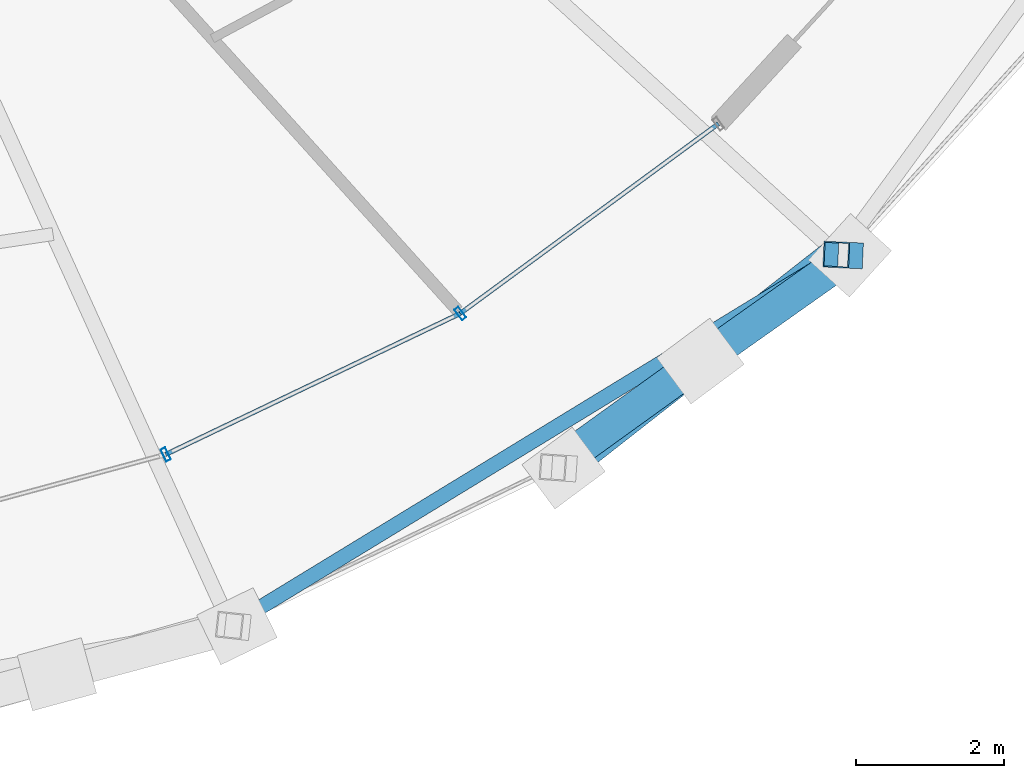
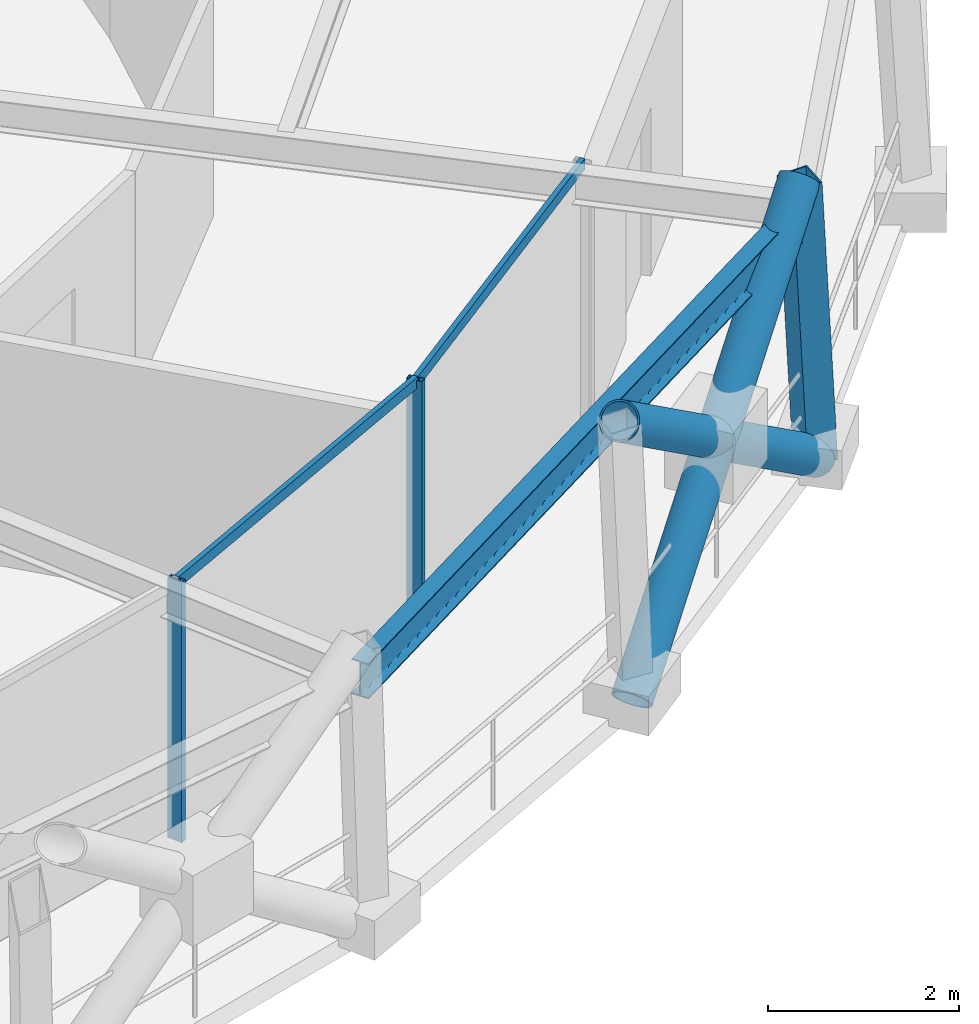
# One storey, part 4 of 17: 8 members, 1 beam, 1 element without a shape of its own.
"""IFC4 building model written with IfcOpenShell, lengths in metres."""

from ifc_helpers import new_model, si_unit, direction, frame, origin, origin_2d, place, context, subcontext, project, spatial, hollow_rectangle, hollow_circle, i_section, extrude, material, layer, layer_set, material_profile, profile_set, type_object, element, aggregate, save


model = new_model("IFC4")

# Units and contexts
model_context = context("Model", 3, precision=1e-05, world=origin(), true_north=direction((0.0, 1.0)))
body_context = subcontext(model_context, "Body", "Model", "MODEL_VIEW")
ifc_project = project(units=[si_unit("LENGTHUNIT", "METRE"), si_unit("AREAUNIT", "SQUARE_METRE"), si_unit("VOLUMEUNIT", "CUBIC_METRE"), si_unit("PLANEANGLEUNIT", "RADIAN"), si_unit("MASSUNIT", "GRAM", prefix="KILO")], contexts=[model_context])

# Site, building, storey
site_placement = place(None, origin())
site = spatial("IfcSite", under=ifc_project, at=site_placement, CompositionType="ELEMENT")
building_placement = place(site_placement, origin())
building = spatial("IfcBuilding", under=site, at=building_placement, Name="Veldorina Hangang Commons", CompositionType="ELEMENT")
storey_placement = place(building_placement, frame((0.0, 0.0, 214.800048828125)))
storey = spatial("IfcBuildingStorey", under=building, at=storey_placement, Name="L55", CompositionType="ELEMENT", Elevation=214.800048828125)

# Beam
ifc_material_1 = material(Name="Steel SM355-TMC", Category="steel")
ifc_material_profile_1 = material_profile(ifc_material_1, i_section(OverallWidth=0.199951171875, OverallDepth=0.449951171875, WebThickness=0.009033203125, FlangeThickness=0.013916015625, FilletRadius=0.01611328125, at=origin_2d()), Name="H-450x200x9x14")
ifc_profile_set_1 = profile_set([ifc_material_profile_1], Name="Steel SM355-TMC")
beam_type = type_object("IfcBeamType", Name="BM-RB450", PredefinedType="BEAM", material=ifc_profile_set_1)
beam_placement = place(storey_placement, frame((41.705810546875, 2.595458984375, 3.135009765625), z_axis=(0.853566554162, 0.520983817039, 0.0), x_axis=(-0.520983817039, 0.853566554162, 0.0)))
element("IfcBeam", 1, at=beam_placement, inside=storey, type_object=beam_type, Name="L55 perimeter hoop ring beam 26", PredefinedType="BEAM", context=body_context, shape_type="SweptSolid", body=[
    extrude(i_section(OverallWidth=0.199951171875, OverallDepth=0.449951171875, WebThickness=0.009033203125, FlangeThickness=0.013916015625, FilletRadius=0.01611328125, at=origin_2d()), origin(), (0.0, 0.0, 1.0), 9.639892578125),
])

# Curtain wall, members
ifc_material_2 = material(Name="Glass Low-E Selective", Category="glass")
ifc_layer = layer(ifc_material_2, 0.179931640625)
ifc_layer_set = layer_set([ifc_layer], Name="Glass Low-E Selective")
curtain_wall_type = type_object("IfcCurtainWallType", Name="CW-SYS-Z3", PredefinedType="NOTDEFINED", material=ifc_layer_set)
curtain_wall_placement = place(storey_placement, origin())
curtain_wall = element("IfcCurtainWall", 2, at=curtain_wall_placement, inside=storey, type_object=curtain_wall_type, Name="L55 unitised curtain wall CW-L55-R1", PredefinedType="NOTDEFINED")
ifc_material_3 = material(Name="Aluminium Anodized AA6063-T6", Category="aluminium")
ifc_material_profile_2 = material_profile(ifc_material_3, hollow_rectangle(XDim=0.070068359375, YDim=0.179931640625, WallThickness=0.00390625, at=origin_2d()), Name="ALU-RHS-180x70x4")
ifc_profile_set_2 = profile_set([ifc_material_profile_2], Name="Aluminium Anodized AA6063-T6")
member_type_1 = type_object("IfcMemberType", Name="CW-MUL-180", PredefinedType="MULLION", material=ifc_profile_set_2)
member_1_placement = place(storey_placement, frame((40.82861328125, 4.913818359375, 0.0), z_axis=(0.0, 0.0, 1.0), x_axis=(0.902005904075, 0.43172369522, 0.0)))
member_1 = element("IfcMember", 3, at=member_1_placement, type_object=member_type_1, Name="CW-L55-R1 vertical mullion 2", PredefinedType="MULLION", context=body_context, shape_type="SweptSolid", body=[
    extrude(hollow_rectangle(XDim=0.070068359375, YDim=0.179931640625, WallThickness=0.00390625, at=origin_2d()), origin(), (0.0, 0.0, 1.0), 3.320068359375),
])
member_2_placement = place(storey_placement, frame((44.81689453125, 6.82275390625, 0.0), z_axis=(0.0, 0.0, 1.0), x_axis=(0.805804273623, 0.592181959038, 0.0)))
member_2 = element("IfcMember", 4, at=member_2_placement, type_object=member_type_1, Name="CW-L55-R1 vertical mullion 3", PredefinedType="MULLION", context=body_context, shape_type="SweptSolid", body=[
    extrude(hollow_rectangle(XDim=0.070068359375, YDim=0.179931640625, WallThickness=0.00390625, at=origin_2d()), origin(), (0.0, 0.0, 1.0), 3.320068359375),
])
ifc_material_profile_3 = material_profile(ifc_material_3, hollow_rectangle(XDim=0.06005859375, YDim=0.139892578125, WallThickness=0.00341796875, at=origin_2d()), Name="ALU-RHS-140x60x3.5")
ifc_profile_set_3 = profile_set([ifc_material_profile_3], Name="Aluminium Anodized AA6063-T6")
member_type_2 = type_object("IfcMemberType", Name="CW-TRN-140", PredefinedType="USERDEFINED", material=ifc_profile_set_3)
member_3_placement = place(storey_placement, frame((40.82861328125, 4.913818359375, 3.280029296875), z_axis=(0.902002426601, 0.431730960675, 0.0), x_axis=(-0.431730960675, 0.902002426601, 0.0)))
member_3 = element("IfcMember", 5, at=member_3_placement, type_object=member_type_2, Name="CW-L55-R1 facet 3 transom 1", ObjectType="TRANSOM", PredefinedType="USERDEFINED", context=body_context, shape_type="SweptSolid", body=[
    extrude(hollow_rectangle(XDim=0.06005859375, YDim=0.139892578125, WallThickness=0.00341796875, at=origin_2d()), origin(), (0.0, 0.0, 1.0), 4.421630859375),
])
member_4_placement = place(storey_placement, frame((44.81689453125, 6.82275390625, 3.280029296875), z_axis=(0.805796325398, 0.592192774336, 0.0), x_axis=(-0.592192774336, 0.805796325398, 0.0)))
member_4 = element("IfcMember", 6, at=member_4_placement, type_object=member_type_2, Name="CW-L55-R1 facet 4 transom 1", ObjectType="TRANSOM", PredefinedType="USERDEFINED", context=body_context, shape_type="SweptSolid", body=[
    extrude(hollow_rectangle(XDim=0.06005859375, YDim=0.139892578125, WallThickness=0.00341796875, at=origin_2d()), origin(), (0.0, 0.0, 1.0), 4.338623046875),
])
aggregate(curtain_wall, [member_1, member_2, member_3, member_4])

# Members
ifc_material_profile_4 = material_profile(ifc_material_1, hollow_circle(Radius=0.22509765625, WallThickness=0.02197265625, at=origin_2d()), Name="CHS-450x22")
ifc_profile_set_4 = profile_set([ifc_material_profile_4], Name="Steel SM355-TMC")
member_type_3 = type_object("IfcMemberType", Name="DG-CHS450", PredefinedType="BRACE", material=ifc_profile_set_4)
member_5_placement = place(storey_placement, frame((46.217041015625, 4.7275390625, 0.0), z_axis=(0.624637971803, 0.488990735908, 0.608864077096), x_axis=(-0.616420540159, 0.787417117969, 0.0)))
element("IfcMember", 7, at=member_5_placement, inside=storey, type_object=member_type_3, Name="L55 continuous perimeter diagrid brace 27", PredefinedType="BRACE", context=body_context, shape_type="SweptSolid", body=[
    extrude(hollow_circle(Radius=0.22509765625, WallThickness=0.02197265625, at=origin_2d()), origin(), (0.0, 0.0, 1.0), 5.912353515625),
])
member_6_placement = place(storey_placement, frame((50.094970703125, 7.610107421875, 0.0), z_axis=(-0.660024672571, -0.466751624991, 0.588651299298), x_axis=(0.577386310162, -0.816471094919, 0.0)))
element("IfcMember", 8, at=member_6_placement, inside=storey, type_object=member_type_3, Name="L55 split perimeter diagrid lower brace 28", PredefinedType="BRACE", context=body_context, shape_type="SweptSolid", body=[
    extrude(hollow_circle(Radius=0.22509765625, WallThickness=0.02197265625, at=origin_2d()), origin(), (0.0, 0.0, 1.0), 3.068359375),
])
member_7_placement = place(storey_placement, frame((48.06982421875, 6.177978515625, 1.80615234375), z_axis=(-0.655690159244, -0.47275717213, 0.588702871803), x_axis=(0.584842530188, -0.811146851614, 0.0)))
element("IfcMember", 9, at=member_7_placement, inside=storey, type_object=member_type_3, Name="L55 split perimeter diagrid upper brace 28", PredefinedType="BRACE", context=body_context, shape_type="SweptSolid", body=[
    extrude(hollow_circle(Radius=0.22509765625, WallThickness=0.02197265625, at=origin_2d()), origin(), (0.0, 0.0, 1.0), 3.046875),
])
ifc_material_profile_5 = material_profile(ifc_material_1, hollow_rectangle(XDim=0.35009765625, YDim=0.35009765625, WallThickness=0.01611328125, at=origin_2d()), Name="SHS-350x350x16")
ifc_profile_set_5 = profile_set([ifc_material_profile_5], Name="Steel SM355-TMC")
member_type_4 = type_object("IfcMemberType", Name="STR-SHS350", PredefinedType="STRUT", material=ifc_profile_set_5)
member_8_placement = place(storey_placement, frame((50.094970703125, 7.610107421875, 0.0), z_axis=(-0.051271767842, 0.002370557298, 0.998681924479), x_axis=(-0.046185799643, -0.998932866569, 0.0)))
element("IfcMember", 10, at=member_8_placement, inside=storey, type_object=member_type_4, Name="L55 perimeter ring node post 28", PredefinedType="STRUT", context=body_context, shape_type="SweptSolid", body=[
    extrude(hollow_rectangle(XDim=0.35009765625, YDim=0.35009765625, WallThickness=0.01611328125, at=origin_2d()), origin(), (0.0, 0.0, 1.0), 3.6044921875),
])

save(model, "model.ifc")
